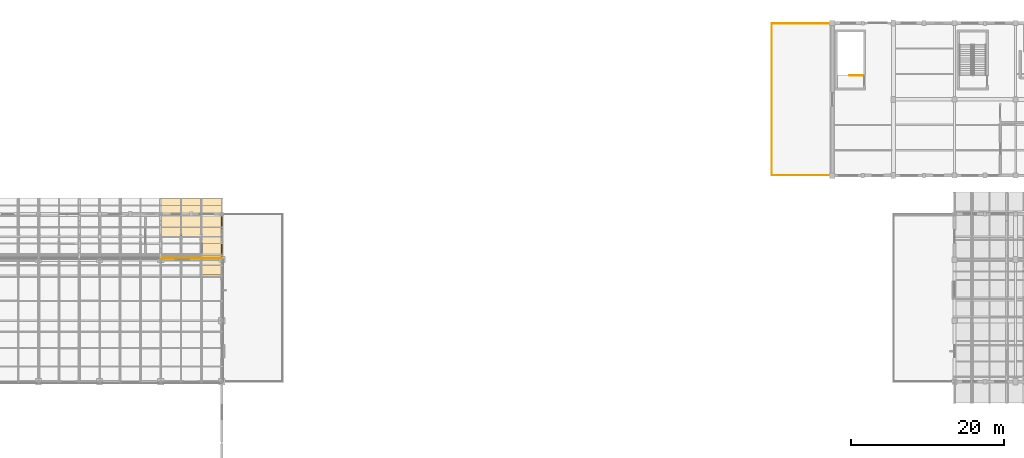
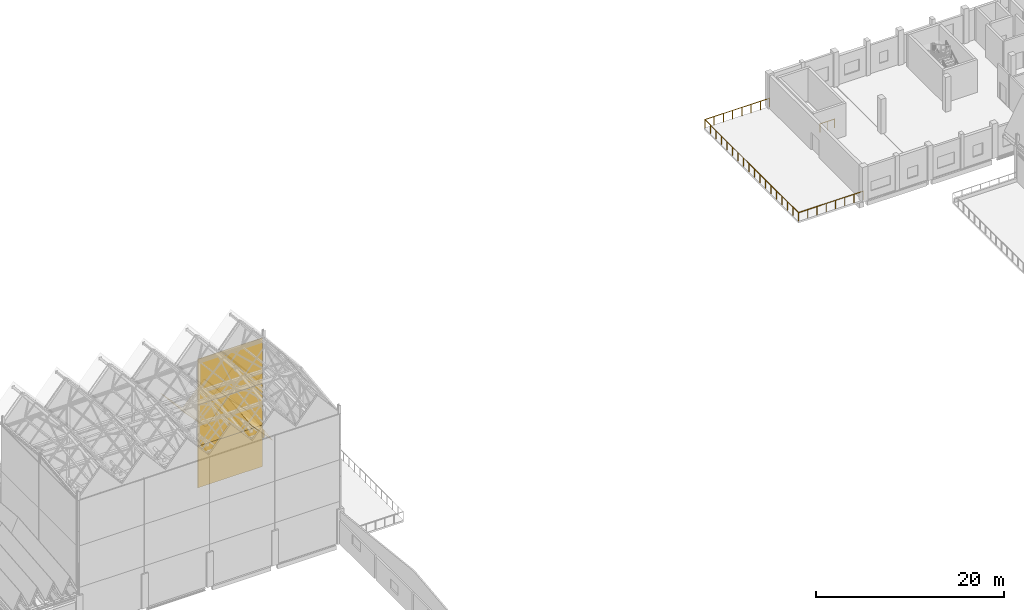
# One storey, part 46 of 48: 8 coverings, 2 railings.
"""IFC4 building model written with IfcOpenShell, lengths in metres."""

from ifc_helpers import new_model, si_unit, direction, frame, origin, origin_2d, place, context, subcontext, project, spatial, polyline, rectangle, circle, outline, extrude, material, layer, layer_set, type_object, element, save


model = new_model("IFC4")

# Units and contexts
model_context = context("Model", 3, precision=1e-05, world=origin(), true_north=direction((0.0, 1.0)))
body_context = subcontext(model_context, "Body", "Model", "MODEL_VIEW")
ifc_project = project(units=[si_unit("LENGTHUNIT", "METRE"), si_unit("AREAUNIT", "SQUARE_METRE"), si_unit("VOLUMEUNIT", "CUBIC_METRE"), si_unit("PLANEANGLEUNIT", "RADIAN"), si_unit("MASSUNIT", "GRAM", prefix="KILO")], contexts=[model_context])

# Site, building, storey
site_placement = place(None, origin())
site = spatial("IfcSite", under=ifc_project, at=site_placement, CompositionType="ELEMENT")
building_placement = place(site_placement, origin())
building = spatial("IfcBuilding", under=site, at=building_placement, Name="Luwemba Playhouse", CompositionType="ELEMENT")
storey_placement = place(building_placement, frame((0.0, 0.0, 13.800048828125)))
storey = spatial("IfcBuildingStorey", under=building, at=storey_placement, Name="L03", CompositionType="ELEMENT", Elevation=13.800048828125)

# Coverings
ifc_material_1 = material(Name="Ventilated glazed terracotta rainscreen cladding", Category="masonry")
ifc_layer_1 = layer(ifc_material_1, 0.080078125)
ifc_layer_set_1 = layer_set([ifc_layer_1], Name="Ventilated glazed terracotta rainscreen cladding")
covering_type_1 = type_object("IfcCoveringType", Name="COV-CLAD-TERRA", PredefinedType="CLADDING", material=ifc_layer_set_1)
for number, where, z_axis, x_axis, name in (
    (1, (40.0, 84.179931640625, 0.0), (0.0, 0.0, 1.0), (1.0, 0.0, 0.0), "Fly tower terracotta acoustic cladding 008"),
    (2, (40.0, 84.179931640625, 5.39990234375), (0.0, 0.0, 1.0), (1.0, 0.0, 0.0), "Fly tower terracotta acoustic cladding 020"),
):
    element("IfcCovering", number, at=place(storey_placement, frame(where, z_axis=z_axis, x_axis=x_axis)), inside=storey, type_object=covering_type_1, Name=name, PredefinedType="CLADDING", context=body_context, shape_type="SweptSolid", body=[
        extrude(rectangle(XDim=7.9599609375, YDim=0.080078125, at=origin_2d()), origin(), (0.0, 0.0, 1.0), 5.39990234375),
    ])
covering_1_placement = place(storey_placement, frame((40.0, 84.179931640625, 10.800048828125), z_axis=(0.0, 0.0, 1.0), x_axis=(1.0, 0.0, 0.0)))
element("IfcCovering", 3, at=covering_1_placement, inside=storey, type_object=covering_type_1, Name="Fly tower terracotta acoustic cladding 032", PredefinedType="CLADDING", context=body_context, shape_type="SweptSolid", body=[
    extrude(rectangle(XDim=7.9599609375, YDim=0.080078125, at=origin_2d()), origin(), (0.0, 0.0, 1.0), 5.89990234375),
])
ifc_material_2 = material(Name="Glazed terracotta clay roof tile", Category="masonry")
ifc_layer_2 = layer(ifc_material_2, 0.06494140625)
ifc_layer_set_2 = layer_set([ifc_layer_2], Name="Glazed terracotta clay roof tile")
covering_type_2 = type_object("IfcCoveringType", Name="COV-ROOF-TILE", PredefinedType="ROOFING", material=ifc_layer_set_2)
covering_2_placement = place(storey_placement, frame((36.02490234375, 87.0, 8.09912109375), z_axis=(0.729679064046, 0.076214760844, 0.679529082322), x_axis=(0.681511308934, 0.0, -0.731807581127)))
element("IfcCovering", 4, at=covering_2_placement, inside=storey, type_object=covering_type_2, Name="RF-V2-NORTH glazed clay-tile roofing 10N", PredefinedType="ROOFING", context=body_context, shape_type="SweptSolid", body=[
    extrude(outline(polyline([(0.0, 0.0), (3.8395536280142, 0.0), (4.249944744676563, 5.014585296370015), (0.4103911166623626, 5.014585296370014), (0.0, 0.0)])), origin(), (0.0, 0.0, -1.0), 0.06494140625),
])
for number, where, z_axis, x_axis, name in (
    (5, (38.691650390625, 87.0, 5.289306640625), (-0.729679064046, 0.076214760844, 0.679529082322), (0.681511308934, 0.0, 0.731807581127), "RF-V2-NORTH glazed clay-tile roofing 11N"),
    (6, (41.3583984375, 82.0, 7.538330078125), (0.729679064046, -0.076214760844, 0.679529082322), (0.681511308934, 0.0, -0.731807581127), "RF-V2-NORTH glazed clay-tile roofing 12S"),
):
    element("IfcCovering", number, at=place(storey_placement, frame(where, z_axis=z_axis, x_axis=x_axis)), inside=storey, type_object=covering_type_2, Name=name, PredefinedType="ROOFING", context=body_context, shape_type="SweptSolid", body=[
        extrude(outline(polyline([(0.0, 0.0), (3.8395536280142, 0.0), (3.4291625113518376, 5.014585296370014), (-0.4103911166623626, 5.014585296370014), (0.0, 0.0)])), origin(), (0.0, 0.0, -1.0), 0.06494140625),
    ])
covering_3_placement = place(storey_placement, frame((41.3583984375, 87.0, 8.09912109375), z_axis=(0.729679064046, 0.076214760844, 0.679529082322), x_axis=(0.681511308934, 0.0, -0.731807581127)))
element("IfcCovering", 7, at=covering_3_placement, inside=storey, type_object=covering_type_2, Name="RF-V2-NORTH glazed clay-tile roofing 12N", PredefinedType="ROOFING", context=body_context, shape_type="SweptSolid", body=[
    extrude(outline(polyline([(0.0, 0.0), (3.8395536280142, 0.0), (4.249944744676563, 5.014585296370015), (0.4103911166623626, 5.014585296370014), (0.0, 0.0)])), origin(), (0.0, 0.0, -1.0), 0.06494140625),
])
ifc_material_3 = material(Name="Structural timber GL24h gable wall infill", Category="wood")
ifc_layer_3 = layer(ifc_material_3, 0.179931640625)
ifc_layer_set_3 = layer_set([ifc_layer_3], Name="Structural timber GL24h gable wall infill")
covering_type_3 = type_object("IfcCoveringType", Name="COV-TIM-TYMP", PredefinedType="CLADDING", material=ifc_layer_set_3)
covering_4_placement = place(storey_placement, frame((44.0, 90.0, 3.780029296875), z_axis=(0.0, 0.0, 1.0), x_axis=(0.0, -1.0, 0.0)))
element("IfcCovering", 8, at=covering_4_placement, inside=storey, type_object=covering_type_3, Name="RF-V2-NORTH east timber gable infill 011", PredefinedType="CLADDING", context=body_context, shape_type="SweptSolid", body=[
    extrude(outline(polyline([(0.0, 0.0), (6.0, 0.0), (6.0, 0.9150390625), (3.0, 1.25146484375), (0.0, 0.9150390625), (0.0, 0.0)])), frame((0.0, 0.08984375, 0.0), z_axis=(0.0, -1.0, 0.0), x_axis=(1.0, 0.0, 0.0)), (0.0, 0.0, 1.0), 0.179931640625),
])

# Railings
ifc_material_4 = material(Name="Painted wrought-iron balustrade", Category="steel")
railing_type_1 = type_object("IfcRailingType", Name="RLG-BAL-EXT", PredefinedType="BALUSTRADE", material=ifc_material_4)
railing_1_placement = place(storey_placement, frame((124.0, 95.050048828125, 0.0)))
element("IfcRailing", 9, at=railing_1_placement, inside=storey, type_object=railing_type_1, Name="L03 Conservatory Terrace Level 3 perimeter guard", PredefinedType="BALUSTRADE", context=body_context, shape_type="SweptSolid", body=[
    extrude(circle(Radius=0.02392578125, at=origin_2d()), frame((0.0, 0.0, 1.09619140625), z_axis=(-1.0, 0.0, 0.0), x_axis=(0.0, -1.0, 0.0)), (0.0, 0.0, 1.0), 7.949951171875),
    extrude(circle(Radius=0.02392578125, at=origin_2d()), frame((-7.949951171875, 0.0, 1.09619140625), z_axis=(0.0, 1.0, 0.0), x_axis=(-1.0, 0.0, 0.0)), (0.0, 0.0, 1.0), 19.89990234375),
    extrude(circle(Radius=0.02392578125, at=origin_2d()), frame((-7.949951171875, 19.89990234375, 1.09619140625), z_axis=(1.0, 0.0, 0.0), x_axis=(0.0, 1.0, 0.0)), (0.0, 0.0, 1.0), 7.949951171875),
    extrude(circle(Radius=0.02099609375, at=origin_2d()), origin(), (0.0, 0.0, 1.0), 1.072021484375),
    extrude(circle(Radius=0.02099609375, at=origin_2d()), frame((-1.1357421875, 0.0, 0.0)), (0.0, 0.0, 1.0), 1.072021484375),
    extrude(circle(Radius=0.02099609375, at=origin_2d()), frame((-2.271484375, 0.0, 0.0)), (0.0, 0.0, 1.0), 1.072021484375),
    extrude(circle(Radius=0.02099609375, at=origin_2d()), frame((-3.4072265625, 0.0, 0.0)), (0.0, 0.0, 1.0), 1.072021484375),
    extrude(circle(Radius=0.02099609375, at=origin_2d()), frame((-4.542724609375, 0.0, 0.0)), (0.0, 0.0, 1.0), 1.072021484375),
    extrude(circle(Radius=0.02099609375, at=origin_2d()), frame((-5.678466796875, 0.0, 0.0)), (0.0, 0.0, 1.0), 1.072021484375),
    extrude(circle(Radius=0.02099609375, at=origin_2d()), frame((-6.814208984375, 0.0, 0.0)), (0.0, 0.0, 1.0), 1.072021484375),
    extrude(circle(Radius=0.02099609375, at=origin_2d()), frame((-7.949951171875, 0.0, 0.0)), (0.0, 0.0, 1.0), 1.072021484375),
    extrude(circle(Radius=0.02099609375, at=origin_2d()), frame((-7.949951171875, 1.170654296875, 0.0)), (0.0, 0.0, 1.0), 1.072021484375),
    extrude(circle(Radius=0.02099609375, at=origin_2d()), frame((-7.949951171875, 2.341064453125, 0.0)), (0.0, 0.0, 1.0), 1.072021484375),
    extrude(circle(Radius=0.02099609375, at=origin_2d()), frame((-7.949951171875, 3.51171875, 0.0)), (0.0, 0.0, 1.0), 1.072021484375),
    extrude(circle(Radius=0.02099609375, at=origin_2d()), frame((-7.949951171875, 4.682373046875, 0.0)), (0.0, 0.0, 1.0), 1.072021484375),
    extrude(circle(Radius=0.02099609375, at=origin_2d()), frame((-7.949951171875, 5.85302734375, 0.0)), (0.0, 0.0, 1.0), 1.072021484375),
    extrude(circle(Radius=0.02099609375, at=origin_2d()), frame((-7.949951171875, 7.0234375, 0.0)), (0.0, 0.0, 1.0), 1.072021484375),
    extrude(circle(Radius=0.02099609375, at=origin_2d()), frame((-7.949951171875, 8.194091796875, 0.0)), (0.0, 0.0, 1.0), 1.072021484375),
    extrude(circle(Radius=0.02099609375, at=origin_2d()), frame((-7.949951171875, 9.36474609375, 0.0)), (0.0, 0.0, 1.0), 1.072021484375),
    extrude(circle(Radius=0.02099609375, at=origin_2d()), frame((-7.949951171875, 10.53515625, 0.0)), (0.0, 0.0, 1.0), 1.072021484375),
    extrude(circle(Radius=0.02099609375, at=origin_2d()), frame((-7.949951171875, 11.705810546875, 0.0)), (0.0, 0.0, 1.0), 1.072021484375),
    extrude(circle(Radius=0.02099609375, at=origin_2d()), frame((-7.949951171875, 12.87646484375, 0.0)), (0.0, 0.0, 1.0), 1.072021484375),
    extrude(circle(Radius=0.02099609375, at=origin_2d()), frame((-7.949951171875, 14.046875, 0.0)), (0.0, 0.0, 1.0), 1.072021484375),
    extrude(circle(Radius=0.02099609375, at=origin_2d()), frame((-7.949951171875, 15.217529296875, 0.0)), (0.0, 0.0, 1.0), 1.072021484375),
    extrude(circle(Radius=0.02099609375, at=origin_2d()), frame((-7.949951171875, 16.38818359375, 0.0)), (0.0, 0.0, 1.0), 1.072021484375),
    extrude(circle(Radius=0.02099609375, at=origin_2d()), frame((-7.949951171875, 17.558837890625, 0.0)), (0.0, 0.0, 1.0), 1.072021484375),
    extrude(circle(Radius=0.02099609375, at=origin_2d()), frame((-7.949951171875, 18.729248046875, 0.0)), (0.0, 0.0, 1.0), 1.072021484375),
    extrude(circle(Radius=0.02099609375, at=origin_2d()), frame((-7.949951171875, 19.89990234375, 0.0)), (0.0, 0.0, 1.0), 1.072021484375),
    extrude(circle(Radius=0.02099609375, at=origin_2d()), frame((-6.814208984375, 19.89990234375, 0.0)), (0.0, 0.0, 1.0), 1.072021484375),
    extrude(circle(Radius=0.02099609375, at=origin_2d()), frame((-5.678466796875, 19.89990234375, 0.0)), (0.0, 0.0, 1.0), 1.072021484375),
    extrude(circle(Radius=0.02099609375, at=origin_2d()), frame((-4.542724609375, 19.89990234375, 0.0)), (0.0, 0.0, 1.0), 1.072021484375),
    extrude(circle(Radius=0.02099609375, at=origin_2d()), frame((-3.4072265625, 19.89990234375, 0.0)), (0.0, 0.0, 1.0), 1.072021484375),
    extrude(circle(Radius=0.02099609375, at=origin_2d()), frame((-2.271484375, 19.89990234375, 0.0)), (0.0, 0.0, 1.0), 1.072021484375),
    extrude(circle(Radius=0.02099609375, at=origin_2d()), frame((-1.1357421875, 19.89990234375, 0.0)), (0.0, 0.0, 1.0), 1.072021484375),
    extrude(circle(Radius=0.02099609375, at=origin_2d()), frame((0.0, 19.89990234375, 0.0)), (0.0, 0.0, 1.0), 1.072021484375),
])
ifc_material_5 = material(Name="Painted wrought-iron gallery balustrade", Category="steel")
railing_type_2 = type_object("IfcRailingType", Name="RLG-BAL-INT", PredefinedType="BALUSTRADE", material=ifc_material_5)
railing_2_placement = place(storey_placement, frame((128.050048828125, 108.14990234375, 0.0)))
element("IfcRailing", 10, at=railing_2_placement, inside=storey, type_object=railing_type_2, Name="L03 ST-16 top well guard 1", PredefinedType="BALUSTRADE", context=body_context, shape_type="SweptSolid", body=[
    extrude(circle(Radius=0.02392578125, at=origin_2d()), frame((0.0, 0.0, 1.09619140625), z_axis=(-1.0, 0.0, 0.0), x_axis=(0.0, -1.0, 0.0)), (0.0, 0.0, 1.0), 1.800048828125),
    extrude(circle(Radius=0.02099609375, at=origin_2d()), origin(), (0.0, 0.0, 1.0), 1.072021484375),
    extrude(circle(Radius=0.02099609375, at=origin_2d()), frame((-0.89990234375, 0.0, 0.0)), (0.0, 0.0, 1.0), 1.072021484375),
    extrude(circle(Radius=0.02099609375, at=origin_2d()), frame((-1.800048828125, 0.0, 0.0)), (0.0, 0.0, 1.0), 1.072021484375),
])

save(model, "model.ifc")
